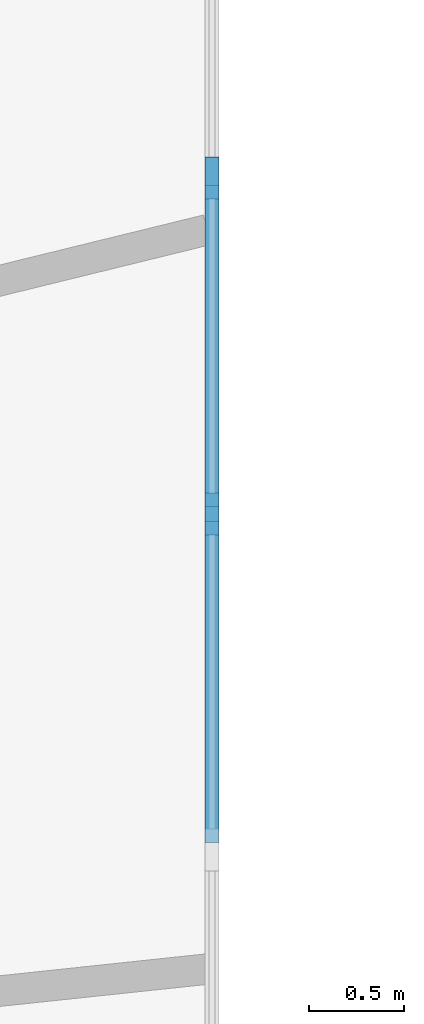
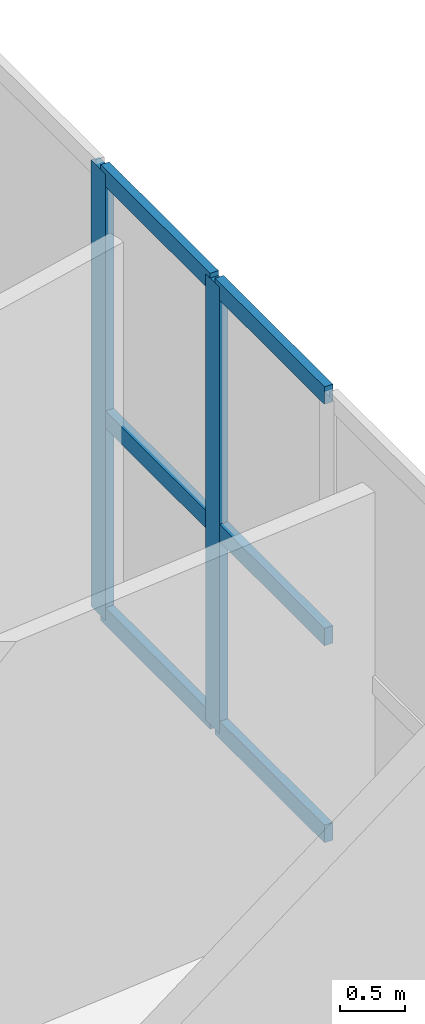
# One storey, part 3 of 26: 8 members, 1 element without a shape of its own.
"""IFC4 building model written with IfcOpenShell, lengths in metres."""

from ifc_helpers import new_model, si_unit, direction, frame, origin, origin_with_axes, origin_2d, place, context, subcontext, project, spatial, rectangle, extrude, source, transform, mapped, material, layer, layer_set, material_profile, profile_set, type_object, element, aggregate, save


model = new_model("IFC4")

# Units and contexts
model_context = context("Model", 3, precision=1e-05, world=origin(), true_north=direction((0.0, 1.0)))
body_context = subcontext(model_context, "Body", "Model", "MODEL_VIEW")
ifc_project = project(units=[si_unit("LENGTHUNIT", "METRE"), si_unit("AREAUNIT", "SQUARE_METRE"), si_unit("VOLUMEUNIT", "CUBIC_METRE"), si_unit("PLANEANGLEUNIT", "RADIAN"), si_unit("MASSUNIT", "GRAM", prefix="KILO")], contexts=[model_context])

# Site, building, storey
site_placement = place(None, origin())
site = spatial("IfcSite", under=ifc_project, at=site_placement, CompositionType="ELEMENT")
building_placement = place(site_placement, origin())
building = spatial("IfcBuilding", under=site, at=building_placement, Name="Karkom Vertical University and Central Library", CompositionType="ELEMENT")
storey_placement = place(building_placement, frame((0.0, 0.0, 4.5)))
storey = spatial("IfcBuildingStorey", under=building, at=storey_placement, Name="L01", CompositionType="ELEMENT", Elevation=4.5)

# Curtain wall, members
ifc_material_1 = material(Name="Aluminium curtain-wall framing and low-E IGU", Category="aluminium")
ifc_layer = layer(ifc_material_1, 0.199951171875)
ifc_layer_set = layer_set([ifc_layer], Name="Aluminium curtain-wall framing and low-E IGU")
curtain_wall_type = type_object("IfcCurtainWallType", Name="ENV-CW-3", PredefinedType="USERDEFINED", material=ifc_layer_set)
curtain_wall_placement = place(storey_placement, origin())
curtain_wall = element("IfcCurtainWall", 1, at=curtain_wall_placement, inside=storey, type_object=curtain_wall_type, Name="Level 01 CW-3 Curtain Wall Level 01-CW3-3-2", ObjectType="STICK MULLION GLAZING", PredefinedType="USERDEFINED")
ifc_material_2 = material(Name="Anodised Aluminium 6063-T6", Category="aluminium")
ifc_material_profile_1 = material_profile(ifc_material_2, rectangle(XDim=0.074951171875, YDim=0.219970703125, at=origin_2d()), Name="ALU-M75x220")
ifc_profile_set_1 = profile_set([ifc_material_profile_1], Name="Anodised Aluminium 6063-T6")
member_type_1 = type_object("IfcMemberType", Name="ENV-MEM-ALU-M75x220", PredefinedType="MULLION", material=ifc_profile_set_1)
shared_shape_1 = source(origin_with_axes(), body_context, "Body", "SweptSolid", [
    extrude(rectangle(XDim=0.074951171875, YDim=0.219970703125, at=origin_2d()), origin(), (0.0, 0.0, 1.0), 4.199951171875),
])
member_1_placement = place(storey_placement, frame((56.39990234375, 31.78466796875, 0.0), z_axis=(0.0, 0.0, 1.0), x_axis=(-1.0, 0.0, 0.0)))
member_1 = element("IfcMember", 2, at=member_1_placement, type_object=member_type_1, Name="CW-3 mullion 4", PredefinedType="MULLION", context=body_context, shape_type="MappedRepresentation", body=[
    mapped(shared_shape_1, transform((0.0, 0.0, 0.0), scale=1.0)),
])
member_2_placement = place(storey_placement, frame((56.39990234375, 33.546142578125, 0.0), z_axis=(0.0, 0.0, 1.0), x_axis=(-1.0, 0.0, 0.0)))
member_2 = element("IfcMember", 3, at=member_2_placement, type_object=member_type_1, Name="CW-3 mullion 5", PredefinedType="MULLION", context=body_context, shape_type="MappedRepresentation", body=[
    mapped(shared_shape_1, transform((0.0, 0.0, 0.0), scale=1.0)),
])
ifc_material_profile_2 = material_profile(ifc_material_2, rectangle(XDim=0.074951171875, YDim=0.1650390625, at=origin_2d()), Name="ALU-T75x165")
ifc_profile_set_2 = profile_set([ifc_material_profile_2], Name="Anodised Aluminium 6063-T6")
member_type_2 = type_object("IfcMemberType", Name="ENV-MEM-ALU-T75x165", PredefinedType="USERDEFINED", material=ifc_profile_set_2)
shared_shape_2 = source(origin_with_axes(), body_context, "Body", "SweptSolid", [
    extrude(rectangle(XDim=0.074951171875, YDim=0.1650390625, at=origin_2d()), origin(), (0.0, 0.0, 1.0), 1.6865234375),
])
member_3_placement = place(storey_placement, frame((56.39990234375, 30.060546875, 0.03759765625), z_axis=(0.0, 1.0, 0.0), x_axis=(-1.0, 0.0, 0.0)))
member_3 = element("IfcMember", 4, at=member_3_placement, type_object=member_type_2, Name="CW-3 transom 3.1", ObjectType="TRANSOM", PredefinedType="USERDEFINED", context=body_context, shape_type="MappedRepresentation", body=[
    mapped(shared_shape_2, transform((0.0, 0.0, 0.0), scale=1.0)),
])
member_4_placement = place(storey_placement, frame((56.39990234375, 30.060546875, 1.889892578125), z_axis=(0.0, 1.0, 0.0), x_axis=(-1.0, 0.0, 0.0)))
member_4 = element("IfcMember", 5, at=member_4_placement, type_object=member_type_2, Name="CW-3 transom 3.2", ObjectType="TRANSOM", PredefinedType="USERDEFINED", context=body_context, shape_type="MappedRepresentation", body=[
    mapped(shared_shape_2, transform((0.0, 0.0, 0.0), scale=1.0)),
])
member_5_placement = place(storey_placement, frame((56.39990234375, 30.060546875, 4.16259765625), z_axis=(0.0, 1.0, 0.0), x_axis=(-1.0, 0.0, 0.0)))
member_5 = element("IfcMember", 6, at=member_5_placement, type_object=member_type_2, Name="CW-3 transom 3.3", ObjectType="TRANSOM", PredefinedType="USERDEFINED", context=body_context, shape_type="MappedRepresentation", body=[
    mapped(shared_shape_2, transform((0.0, 0.0, 0.0), scale=1.0)),
])
member_6_placement = place(storey_placement, frame((56.39990234375, 31.822021484375, 0.03759765625), z_axis=(0.0, 1.0, 0.0), x_axis=(-1.0, 0.0, 0.0)))
member_6 = element("IfcMember", 7, at=member_6_placement, type_object=member_type_2, Name="CW-3 transom 4.1", ObjectType="TRANSOM", PredefinedType="USERDEFINED", context=body_context, shape_type="MappedRepresentation", body=[
    mapped(shared_shape_2, transform((0.0, 0.0, 0.0), scale=1.0)),
])
member_7_placement = place(storey_placement, frame((56.39990234375, 31.822021484375, 1.889892578125), z_axis=(0.0, 1.0, 0.0), x_axis=(-1.0, 0.0, 0.0)))
member_7 = element("IfcMember", 8, at=member_7_placement, type_object=member_type_2, Name="CW-3 transom 4.2", ObjectType="TRANSOM", PredefinedType="USERDEFINED", context=body_context, shape_type="MappedRepresentation", body=[
    mapped(shared_shape_2, transform((0.0, 0.0, 0.0), scale=1.0)),
])
member_8_placement = place(storey_placement, frame((56.39990234375, 31.822021484375, 4.16259765625), z_axis=(0.0, 1.0, 0.0), x_axis=(-1.0, 0.0, 0.0)))
member_8 = element("IfcMember", 9, at=member_8_placement, type_object=member_type_2, Name="CW-3 transom 4.3", ObjectType="TRANSOM", PredefinedType="USERDEFINED", context=body_context, shape_type="MappedRepresentation", body=[
    mapped(shared_shape_2, transform((0.0, 0.0, 0.0), scale=1.0)),
])
aggregate(curtain_wall, [member_1, member_2, member_3, member_4, member_5, member_6, member_7, member_8])

save(model, "model.ifc")
